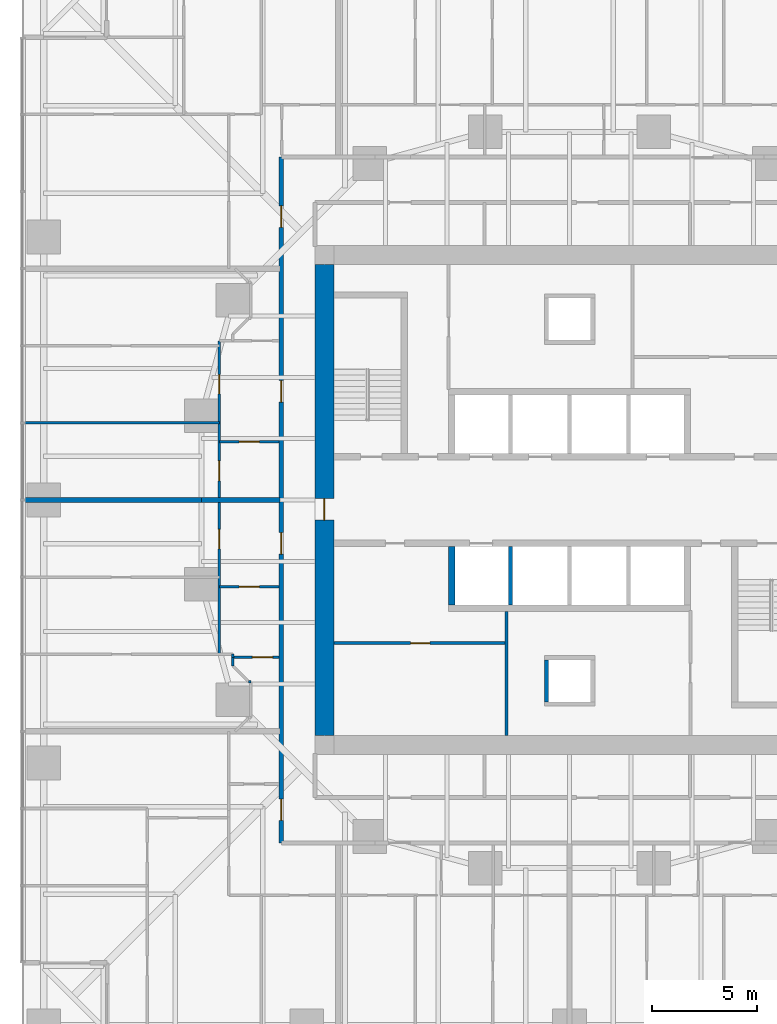
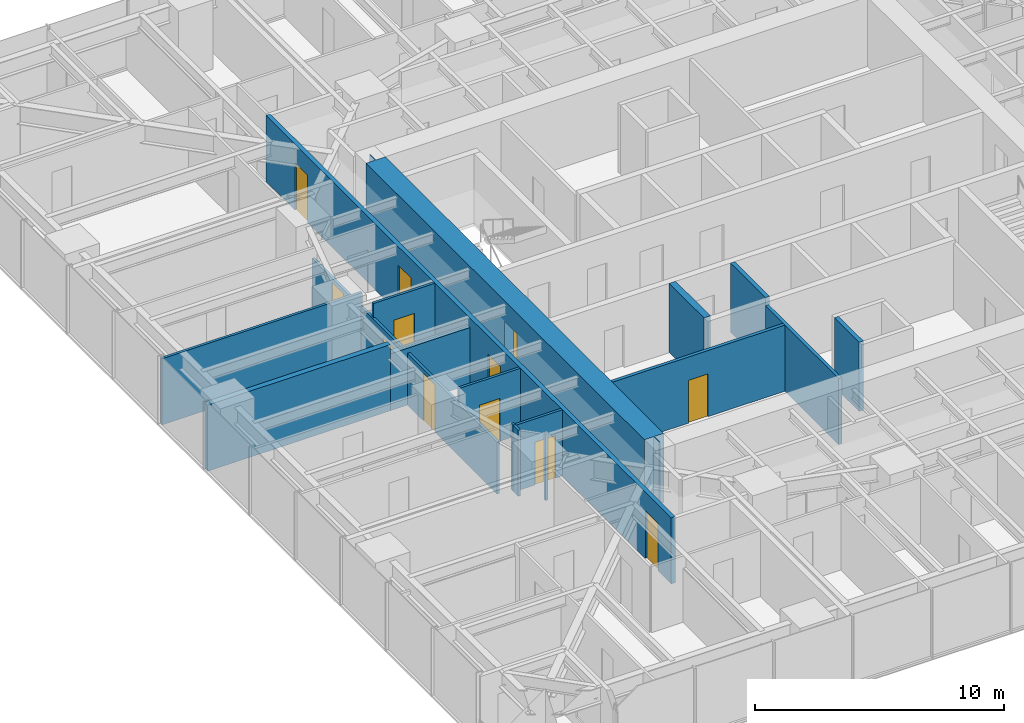
# One storey, part 10 of 18: 17 walls, 12 doors, 12 openings.
"""IFC4 building model written with IfcOpenShell, lengths in metres."""

from ifc_helpers import new_model, si_unit, direction, frame, frame_2d, origin, place, context, subcontext, project, spatial, polyline, rectangle, outline, extrude, material, layer, layer_set, type_object, element, fill, save


model = new_model("IFC4")

# Units and contexts
model_context = context("Model", 3, precision=1e-05, world=origin(), true_north=direction((0.0, 1.0)))
body_context = subcontext(model_context, "Body", "Model", "MODEL_VIEW")
ifc_project = project(units=[si_unit("LENGTHUNIT", "METRE"), si_unit("AREAUNIT", "SQUARE_METRE"), si_unit("VOLUMEUNIT", "CUBIC_METRE"), si_unit("PLANEANGLEUNIT", "RADIAN"), si_unit("MASSUNIT", "GRAM", prefix="KILO")], contexts=[model_context])

# Site, building, storey
site_placement = place(None, origin())
site = spatial("IfcSite", under=ifc_project, at=site_placement, CompositionType="ELEMENT")
building_placement = place(site_placement, origin())
building = spatial("IfcBuilding", under=site, at=building_placement, Name="Torsade Residences", CompositionType="ELEMENT")
storey_placement = place(building_placement, frame((0.0, 0.0, 25.199951171875)))
storey = spatial("IfcBuildingStorey", under=building, at=storey_placement, Name="L06", CompositionType="ELEMENT", Elevation=25.199951171875)

# Wall
ifc_material_1 = material(Name="Concrete 80 MPa", Category="concrete")
ifc_layer_1 = layer(ifc_material_1, 0.300048828125)
ifc_layer_set_1 = layer_set([ifc_layer_1], Name="Concrete 80 MPa")
wall_type_1 = type_object("IfcWallType", Name="CORE INTERNAL WALL 300", PredefinedType="SHEAR", material=ifc_layer_set_1)
wall_1_placement = place(storey_placement, frame((34.39990234375, 27.800048828125, 0.0), z_axis=(0.0, 0.0, 1.0), x_axis=(0.0, -1.0, 0.0)))
element("IfcWall", 1, at=wall_1_placement, inside=storey, type_object=wall_type_1, Name="Core wall DS4 L06", PredefinedType="SHEAR", context=body_context, shape_type="SweptSolid", body=[
    extrude(rectangle(XDim=2.800048828125, YDim=0.300048828125, at=frame_2d((1.39990234375, 0.0))), origin(), (0.0, 0.0, 1.0), 3.400146484375),
])

# Wall, opening, door
ifc_material_2 = material(Name="Concrete 80 MPa", Category="concrete")
ifc_layer_2 = layer(ifc_material_2, 0.89990234375)
ifc_layer_set_2 = layer_set([ifc_layer_2], Name="Concrete 80 MPa")
wall_type_2 = type_object("IfcWallType", Name="CORE WALL 900", PredefinedType="SHEAR", material=ifc_layer_set_2)
wall_2_placement = place(storey_placement, frame((28.35009765625, 41.199951171875, 0.0), z_axis=(0.0, 0.0, 1.0), x_axis=(0.0, -1.0, 0.0)))
wall_2 = element("IfcWall", 2, at=wall_2_placement, inside=storey, type_object=wall_type_2, Name="Core wall W L06", PredefinedType="SHEAR", context=body_context, shape_type="SweptSolid", body=[
    extrude(outline(polyline([(0.0, -0.449951171875), (22.39990234375, -0.449951171875), (22.39990234375, -0.02490234375), (22.849853515625, -0.02490234375), (22.849853515625, 0.02490234375), (22.39990234375, 0.02490234375), (22.39990234375, 0.449951171875), (0.0, 0.449951171875), (0.0, 0.02490234375), (-0.449951171875, 0.02490234375), (-0.449951171875, -0.02490234375), (0.0, -0.02490234375), (0.0, -0.449951171875)])), origin(), (0.0, 0.0, 1.0), 3.400146484375),
])
opening_1_placement = place(wall_2_placement, frame((11.139892578125, 0.0, 0.0)))
opening_1 = element("IfcOpeningElement", 3, at=opening_1_placement, cuts=wall_2, Name="Opening D04", PredefinedType="OPENING", context=body_context, shape_type="SweptSolid", body=[
    extrude(rectangle(XDim=1.02001953125, YDim=2.39990234375, at=frame_2d((0.510009765625, 1.199951171875))), frame((0.0, 0.4599609375, 0.0), z_axis=(0.0, -1.0, 0.0), x_axis=(1.0, 0.0, 0.0)), (0.0, 0.0, 1.0), 0.919921875),
])
ifc_material_3 = material(Name="Steel-framed fire door", Category="steel")
door_type_1 = type_object("IfcDoorType", Name="LOBBY SMOKE DOOR 1020x2400", OperationType="NOTDEFINED", PredefinedType="DOOR", material=ifc_material_3)
door_1_placement = place(opening_1_placement, origin())
door_1 = element("IfcDoor", 4, at=door_1_placement, inside=storey, type_object=door_type_1, Name="Lift lobby door W L06", OperationType="SINGLE_SWING_RIGHT", OverallHeight=2.39990234375, OverallWidth=1.02001953125, PredefinedType="DOOR", context=body_context, shape_type="SweptSolid", body=[
    extrude(rectangle(XDim=1.02001953125, YDim=2.39990234375, at=frame_2d((0.510009765625, 1.199951171875))), frame((0.0, 0.02490234375, 0.0), z_axis=(0.0, -1.0, 0.0), x_axis=(1.0, 0.0, 0.0)), (0.0, 0.0, 1.0), 0.050048828125),
])
fill(opening_1, door_1)

# Wall, openings, doors
ifc_material_4 = material(Name="Plasterboard on steel stud", Category="steel")
ifc_layer_3 = layer(ifc_material_4, 0.199951171875)
ifc_layer_set_3 = layer_set([ifc_layer_3], Name="Plasterboard on steel stud")
wall_type_3 = type_object("IfcWallType", Name="CORRIDOR WALL 200", PredefinedType="PARTITIONING", material=ifc_layer_set_3)
wall_3_placement = place(storey_placement, frame((26.300048828125, 46.300048828125, 0.0), z_axis=(0.0, 0.0, 1.0), x_axis=(0.0, -1.0, 0.0)))
wall_3 = element("IfcWall", 5, at=wall_3_placement, inside=storey, type_object=wall_type_3, Name="Corridor wall L06", PredefinedType="PARTITIONING", context=body_context, shape_type="SweptSolid", body=[
    extrude(rectangle(XDim=32.60009765625, YDim=0.199951171875, at=frame_2d((16.300048828125, 0.0))), origin(), (0.0, 0.0, 1.0), 3.25),
])
opening_2_placement = place(wall_3_placement, frame((2.31494140625, 0.0, 0.0)))
opening_2 = element("IfcOpeningElement", 6, at=opening_2_placement, cuts=wall_3, Name="Opening D01", PredefinedType="OPENING", context=body_context, shape_type="SweptSolid", body=[
    extrude(rectangle(XDim=1.02001953125, YDim=2.340087890625, at=frame_2d((0.510009765625, 1.169921875))), frame((0.0, 0.10986328125, 0.0), z_axis=(0.0, -1.0, 0.0), x_axis=(1.0, 0.0, 0.0)), (0.0, 0.0, 1.0), 0.219970703125),
])
opening_3_placement = place(wall_3_placement, frame((10.623779296875, 0.0, 0.0)))
opening_3 = element("IfcOpeningElement", 7, at=opening_3_placement, cuts=wall_3, Name="Opening D01", PredefinedType="OPENING", context=body_context, shape_type="SweptSolid", body=[
    extrude(rectangle(XDim=1.02001953125, YDim=2.340087890625, at=frame_2d((0.510009765625, 1.169921875))), frame((0.0, 0.10986328125, 0.0), z_axis=(0.0, -1.0, 0.0), x_axis=(1.0, 0.0, 0.0)), (0.0, 0.0, 1.0), 0.219970703125),
])
opening_4_placement = place(wall_3_placement, frame((17.84814453125, 0.0, 0.0)))
opening_4 = element("IfcOpeningElement", 8, at=opening_4_placement, cuts=wall_3, Name="Opening D01", PredefinedType="OPENING", context=body_context, shape_type="SweptSolid", body=[
    extrude(rectangle(XDim=1.02001953125, YDim=2.340087890625, at=frame_2d((0.510009765625, 1.169921875))), frame((0.0, 0.10986328125, 0.0), z_axis=(0.0, -1.0, 0.0), x_axis=(1.0, 0.0, 0.0)), (0.0, 0.0, 1.0), 0.219970703125),
])
opening_5_placement = place(wall_3_placement, frame((30.515625, 0.0, 0.0)))
opening_5 = element("IfcOpeningElement", 9, at=opening_5_placement, cuts=wall_3, Name="Opening D01", PredefinedType="OPENING", context=body_context, shape_type="SweptSolid", body=[
    extrude(rectangle(XDim=1.02001953125, YDim=2.340087890625, at=frame_2d((0.510009765625, 1.169921875))), frame((0.0, 0.10986328125, 0.0), z_axis=(0.0, -1.0, 0.0), x_axis=(1.0, 0.0, 0.0)), (0.0, 0.0, 1.0), 0.219970703125),
])
ifc_material_5 = material(Name="Solid-core timber fire door", Category="wood")
door_type_2 = type_object("IfcDoorType", Name="APARTMENT ENTRY DOOR 1020x2340", OperationType="NOTDEFINED", PredefinedType="DOOR", material=ifc_material_5)
door_2_placement = place(opening_2_placement, origin())
door_2 = element("IfcDoor", 10, at=door_2_placement, inside=storey, type_object=door_type_2, Name="Door Residential corridor to Kitchen and dining", OperationType="SINGLE_SWING_LEFT", OverallHeight=2.340087890625, OverallWidth=1.02001953125, PredefinedType="DOOR", context=body_context, shape_type="SweptSolid", body=[
    extrude(rectangle(XDim=1.02001953125, YDim=2.340087890625, at=frame_2d((0.510009765625, 1.169921875))), frame((0.0, 0.02490234375, 0.0), z_axis=(0.0, -1.0, 0.0), x_axis=(1.0, 0.0, 0.0)), (0.0, 0.0, 1.0), 0.050048828125),
])
fill(opening_2, door_2)
door_3_placement = place(opening_3_placement, origin())
door_3 = element("IfcDoor", 11, at=door_3_placement, inside=storey, type_object=door_type_2, Name="Door Residential corridor to Kitchen and dining", OperationType="SINGLE_SWING_LEFT", OverallHeight=2.340087890625, OverallWidth=1.02001953125, PredefinedType="DOOR", context=body_context, shape_type="SweptSolid", body=[
    extrude(rectangle(XDim=1.02001953125, YDim=2.340087890625, at=frame_2d((0.510009765625, 1.169921875))), frame((0.0, 0.02490234375, 0.0), z_axis=(0.0, -1.0, 0.0), x_axis=(1.0, 0.0, 0.0)), (0.0, 0.0, 1.0), 0.050048828125),
])
fill(opening_3, door_3)
door_4_placement = place(opening_4_placement, origin())
door_4 = element("IfcDoor", 12, at=door_4_placement, inside=storey, type_object=door_type_2, Name="Door Residential corridor to Kitchen and dining", OperationType="SINGLE_SWING_RIGHT", OverallHeight=2.340087890625, OverallWidth=1.02001953125, PredefinedType="DOOR", context=body_context, shape_type="SweptSolid", body=[
    extrude(rectangle(XDim=1.02001953125, YDim=2.340087890625, at=frame_2d((0.510009765625, 1.169921875))), frame((0.0, 0.02490234375, 0.0), z_axis=(0.0, -1.0, 0.0), x_axis=(1.0, 0.0, 0.0)), (0.0, 0.0, 1.0), 0.050048828125),
])
fill(opening_4, door_4)
door_5_placement = place(opening_5_placement, origin())
door_5 = element("IfcDoor", 13, at=door_5_placement, inside=storey, type_object=door_type_2, Name="Door Residential corridor to Kitchen and dining", OperationType="SINGLE_SWING_RIGHT", OverallHeight=2.340087890625, OverallWidth=1.02001953125, PredefinedType="DOOR", context=body_context, shape_type="SweptSolid", body=[
    extrude(rectangle(XDim=1.02001953125, YDim=2.340087890625, at=frame_2d((0.510009765625, 1.169921875))), frame((0.0, 0.02490234375, 0.0), z_axis=(0.0, -1.0, 0.0), x_axis=(1.0, 0.0, 0.0)), (0.0, 0.0, 1.0), 0.050048828125),
])
fill(opening_5, door_5)

# Wall
ifc_material_6 = material(Name="Reinforced blockwork", Category="masonry")
ifc_layer_4 = layer(ifc_material_6, 0.199951171875)
ifc_layer_set_4 = layer_set([ifc_layer_4], Name="Reinforced blockwork")
wall_type_4 = type_object("IfcWallType", Name="LIFT SHAFT DIVIDING WALL 200", PredefinedType="SOLIDWALL", material=ifc_layer_set_4)
wall_4_placement = place(storey_placement, frame((37.199951171875, 27.800048828125, 0.0), z_axis=(0.0, 0.0, 1.0), x_axis=(0.0, -1.0, 0.0)))
element("IfcWall", 14, at=wall_4_placement, inside=storey, type_object=wall_type_4, Name="Core wall DS3 L06", PredefinedType="SOLIDWALL", context=body_context, shape_type="SweptSolid", body=[
    extrude(rectangle(XDim=2.800048828125, YDim=0.199951171875, at=frame_2d((1.39990234375, 0.0))), origin(), (0.0, 0.0, 1.0), 3.400146484375),
])

# Wall, opening, door
ifc_material_7 = material(Name="Plasterboard on steel stud", Category="steel")
ifc_layer_5 = layer(ifc_material_7, 0.1201171875)
ifc_layer_set_5 = layer_set([ifc_layer_5], Name="Plasterboard on steel stud")
wall_type_5 = type_object("IfcWallType", Name="PARTITION 120", PredefinedType="PARTITIONING", material=ifc_layer_set_5)
wall_5_placement = place(storey_placement, frame((26.199951171875, 25.883544921875, 0.0), z_axis=(0.0, 0.0, 1.0), x_axis=(-1.0, 0.0, 0.0)))
wall_5 = element("IfcWall", 15, at=wall_5_placement, inside=storey, type_object=wall_type_5, Name="Partition L06", PredefinedType="PARTITIONING", context=body_context, shape_type="SweptSolid", body=[
    extrude(rectangle(XDim=2.849853515625, YDim=0.1201171875, at=frame_2d((1.4248046875, 0.0))), origin(), (0.0, 0.0, 1.0), 3.25),
])
opening_6_placement = place(wall_5_placement, frame((0.945068359375, 0.0, 0.0)))
opening_6 = element("IfcOpeningElement", 16, at=opening_6_placement, cuts=wall_5, Name="Opening D05", PredefinedType="OPENING", context=body_context, shape_type="SweptSolid", body=[
    extrude(rectangle(XDim=0.9599609375, YDim=2.10009765625, at=frame_2d((0.47998046875, 1.050048828125))), frame((0.0, 0.070068359375, 0.0), z_axis=(0.0, -1.0, 0.0), x_axis=(1.0, 0.0, 0.0)), (0.0, 0.0, 1.0), 0.14013671875),
])
ifc_material_8 = material(Name="Hollow-core timber door in a steel cavity frame", Category="steel")
door_type_3 = type_object("IfcDoorType", Name="BATHROOM CAVITY SLIDING DOOR 960", OperationType="SLIDING_TO_LEFT", PredefinedType="DOOR", material=ifc_material_8)
door_6_placement = place(opening_6_placement, origin())
door_6 = element("IfcDoor", 17, at=door_6_placement, inside=storey, type_object=door_type_3, Name="Door Kitchen and dining to Ensuite", OperationType="SLIDING_TO_LEFT", OverallHeight=2.10009765625, OverallWidth=0.9599609375, PredefinedType="DOOR", context=body_context, shape_type="SweptSolid", body=[
    extrude(rectangle(XDim=0.9599609375, YDim=2.10009765625, at=frame_2d((0.47998046875, 1.050048828125))), frame((0.0, 0.02490234375, 0.0), z_axis=(0.0, -1.0, 0.0), x_axis=(1.0, 0.0, 0.0)), (0.0, 0.0, 1.0), 0.050048828125),
])
fill(opening_6, door_6)

# Wall, openings, doors
wall_6_placement = place(storey_placement, frame((23.35009765625, 22.666748046875, 0.0), z_axis=(0.0, 0.0, 1.0), x_axis=(0.0, 1.0, 0.0)))
wall_6 = element("IfcWall", 18, at=wall_6_placement, inside=storey, type_object=wall_type_5, Name="Partition L06", PredefinedType="PARTITIONING", context=body_context, shape_type="SweptSolid", body=[
    extrude(rectangle(XDim=14.89794921875, YDim=0.1201171875, at=frame_2d((7.448974609375, 0.0))), origin(), (0.0, 0.0, 1.0), 2.550048828125),
])
opening_7_placement = place(wall_6_placement, frame((12.373291015625, 0.0, 0.0)))
opening_7 = element("IfcOpeningElement", 19, at=opening_7_placement, cuts=wall_6, Name="Opening D02", PredefinedType="OPENING", context=body_context, shape_type="SweptSolid", body=[
    extrude(rectangle(XDim=0.919921875, YDim=2.340087890625, at=frame_2d((0.4599609375, 1.169921875))), frame((0.0, 0.070068359375, 0.0), z_axis=(0.0, -1.0, 0.0), x_axis=(1.0, 0.0, 0.0)), (0.0, 0.0, 1.0), 0.14013671875),
])
opening_8_placement = place(wall_6_placement, frame((5.014892578125, 0.0, 0.0)))
opening_8 = element("IfcOpeningElement", 20, at=opening_8_placement, cuts=wall_6, Name="Opening D02", PredefinedType="OPENING", context=body_context, shape_type="SweptSolid", body=[
    extrude(rectangle(XDim=0.919921875, YDim=2.340087890625, at=frame_2d((0.4599609375, 1.169921875))), frame((0.0, 0.070068359375, 0.0), z_axis=(0.0, -1.0, 0.0), x_axis=(1.0, 0.0, 0.0)), (0.0, 0.0, 1.0), 0.14013671875),
])
opening_9_placement = place(wall_6_placement, frame((8.237060546875, 0.0, 0.0)))
opening_9 = element("IfcOpeningElement", 21, at=opening_9_placement, cuts=wall_6, Name="Opening D05", PredefinedType="OPENING", context=body_context, shape_type="SweptSolid", body=[
    extrude(rectangle(XDim=0.9599609375, YDim=2.10009765625, at=frame_2d((0.47998046875, 1.050048828125))), frame((0.0, 0.070068359375, 0.0), z_axis=(0.0, -1.0, 0.0), x_axis=(1.0, 0.0, 0.0)), (0.0, 0.0, 1.0), 0.14013671875),
])
door_7_placement = place(opening_9_placement, origin())
door_7 = element("IfcDoor", 22, at=door_7_placement, inside=storey, type_object=door_type_3, Name="Door Ensuite to Bedroom 1", OperationType="SLIDING_TO_LEFT", OverallHeight=2.10009765625, OverallWidth=0.9599609375, PredefinedType="DOOR", context=body_context, shape_type="SweptSolid", body=[
    extrude(rectangle(XDim=0.9599609375, YDim=2.10009765625, at=frame_2d((0.47998046875, 1.050048828125))), frame((0.0, 0.02490234375, 0.0), z_axis=(0.0, -1.0, 0.0), x_axis=(1.0, 0.0, 0.0)), (0.0, 0.0, 1.0), 0.050048828125),
])
fill(opening_9, door_7)
ifc_material_9 = material(Name="Hollow-core timber door", Category="wood")
door_type_4 = type_object("IfcDoorType", Name="INTERNAL DOOR 920x2340", OperationType="NOTDEFINED", PredefinedType="DOOR", material=ifc_material_9)
door_8_placement = place(opening_7_placement, origin())
door_8 = element("IfcDoor", 23, at=door_8_placement, inside=storey, type_object=door_type_4, Name="Door Kitchen and dining to Bedroom 2", OperationType="SINGLE_SWING_LEFT", OverallHeight=2.340087890625, OverallWidth=0.919921875, PredefinedType="DOOR", context=body_context, shape_type="SweptSolid", body=[
    extrude(rectangle(XDim=0.919921875, YDim=2.340087890625, at=frame_2d((0.4599609375, 1.169921875))), frame((0.0, 0.02490234375, 0.0), z_axis=(0.0, -1.0, 0.0), x_axis=(1.0, 0.0, 0.0)), (0.0, 0.0, 1.0), 0.050048828125),
])
fill(opening_7, door_8)
door_9_placement = place(opening_8_placement, origin())
door_9 = element("IfcDoor", 24, at=door_9_placement, inside=storey, type_object=door_type_4, Name="Door Kitchen and dining to Living room", OperationType="SINGLE_SWING_LEFT", OverallHeight=2.340087890625, OverallWidth=0.919921875, PredefinedType="DOOR", context=body_context, shape_type="SweptSolid", body=[
    extrude(rectangle(XDim=0.919921875, YDim=2.340087890625, at=frame_2d((0.4599609375, 1.169921875))), frame((0.0, 0.02490234375, 0.0), z_axis=(0.0, -1.0, 0.0), x_axis=(1.0, 0.0, 0.0)), (0.0, 0.0, 1.0), 0.050048828125),
])
fill(opening_8, door_9)

# Wall, opening, door
wall_7_placement = place(storey_placement, frame((24.0, 22.515380859375, 0.0), z_axis=(0.0, 0.0, 1.0), x_axis=(1.0, 0.0, 0.0)))
wall_7 = element("IfcWall", 25, at=wall_7_placement, inside=storey, type_object=wall_type_5, Name="Partition L06", PredefinedType="PARTITIONING", context=body_context, shape_type="SweptSolid", body=[
    extrude(rectangle(XDim=2.199951171875, YDim=0.1201171875, at=frame_2d((1.10009765625, 0.0))), origin(), (0.0, 0.0, 1.0), 3.25),
])
opening_10_placement = place(wall_7_placement, frame((0.919921875, 0.0, 0.0)))
opening_10 = element("IfcOpeningElement", 26, at=opening_10_placement, cuts=wall_7, Name="Opening D05", PredefinedType="OPENING", context=body_context, shape_type="SweptSolid", body=[
    extrude(rectangle(XDim=0.9599609375, YDim=2.10009765625, at=frame_2d((0.47998046875, 1.050048828125))), frame((0.0, 0.070068359375, 0.0), z_axis=(0.0, -1.0, 0.0), x_axis=(1.0, 0.0, 0.0)), (0.0, 0.0, 1.0), 0.14013671875),
])
door_10_placement = place(opening_10_placement, origin())
door_10 = element("IfcDoor", 27, at=door_10_placement, inside=storey, type_object=door_type_3, Name="Door Ensuite to Bathroom", OperationType="SLIDING_TO_LEFT", OverallHeight=2.10009765625, OverallWidth=0.9599609375, PredefinedType="DOOR", context=body_context, shape_type="SweptSolid", body=[
    extrude(rectangle(XDim=0.9599609375, YDim=2.10009765625, at=frame_2d((0.47998046875, 1.050048828125))), frame((0.0, 0.02490234375, 0.0), z_axis=(0.0, -1.0, 0.0), x_axis=(1.0, 0.0, 0.0)), (0.0, 0.0, 1.0), 0.050048828125),
])
fill(opening_10, door_10)

# Wall
wall_8_placement = place(storey_placement, frame((24.0, 22.10009765625, 0.0), z_axis=(0.0, 0.0, 1.0), x_axis=(0.0, 1.0, 0.0)))
element("IfcWall", 28, at=wall_8_placement, inside=storey, type_object=wall_type_5, Name="Partition L06", PredefinedType="PARTITIONING", context=body_context, shape_type="SweptSolid", body=[
    extrude(rectangle(XDim=0.415283203125, YDim=0.1201171875, at=frame_2d((0.20751953125, 0.0))), origin(), (0.0, 0.0, 1.0), 3.25),
])

# Wall, opening, door
wall_9_placement = place(storey_placement, frame((26.199951171875, 32.767578125, 0.0), z_axis=(0.0, 0.0, 1.0), x_axis=(-1.0, 0.0, 0.0)))
wall_9 = element("IfcWall", 29, at=wall_9_placement, inside=storey, type_object=wall_type_5, Name="Partition L06", PredefinedType="PARTITIONING", context=body_context, shape_type="SweptSolid", body=[
    extrude(rectangle(XDim=2.849853515625, YDim=0.1201171875, at=frame_2d((1.4248046875, 0.0))), origin(), (0.0, 0.0, 1.0), 3.25),
])
opening_11_placement = place(wall_9_placement, frame((0.945068359375, 0.0, 0.0)))
opening_11 = element("IfcOpeningElement", 30, at=opening_11_placement, cuts=wall_9, Name="Opening D05", PredefinedType="OPENING", context=body_context, shape_type="SweptSolid", body=[
    extrude(rectangle(XDim=0.9599609375, YDim=2.10009765625, at=frame_2d((0.47998046875, 1.050048828125))), frame((0.0, 0.070068359375, 0.0), z_axis=(0.0, -1.0, 0.0), x_axis=(1.0, 0.0, 0.0)), (0.0, 0.0, 1.0), 0.14013671875),
])
door_11_placement = place(opening_11_placement, origin())
door_11 = element("IfcDoor", 31, at=door_11_placement, inside=storey, type_object=door_type_3, Name="Door Kitchen and dining to Ensuite", OperationType="SLIDING_TO_LEFT", OverallHeight=2.10009765625, OverallWidth=0.9599609375, PredefinedType="DOOR", context=body_context, shape_type="SweptSolid", body=[
    extrude(rectangle(XDim=0.9599609375, YDim=2.10009765625, at=frame_2d((0.47998046875, 1.050048828125))), frame((0.0, 0.02490234375, 0.0), z_axis=(0.0, -1.0, 0.0), x_axis=(1.0, 0.0, 0.0)), (0.0, 0.0, 1.0), 0.050048828125),
])
fill(opening_11, door_11)

# Walls
wall_10_placement = place(storey_placement, frame((14.0400390625, 33.666748046875, 0.0), z_axis=(0.0, 0.0, 1.0), x_axis=(1.0, 0.0, 0.0)))
element("IfcWall", 32, at=wall_10_placement, inside=storey, type_object=wall_type_5, Name="Partition L06", PredefinedType="PARTITIONING", context=body_context, shape_type="SweptSolid", body=[
    extrude(rectangle(XDim=9.31005859375, YDim=0.1201171875, at=frame_2d((4.655029296875, 0.0))), origin(), (0.0, 0.0, 1.0), 3.25),
])
wall_11_placement = place(storey_placement, frame((24.85009765625, 21.35009765625, 0.0), z_axis=(0.0, 0.0, 1.0), x_axis=(-1.0, 0.0, 0.0)))
element("IfcWall", 33, at=wall_11_placement, inside=storey, type_object=wall_type_5, Name="Partition L06", PredefinedType="PARTITIONING", context=body_context, shape_type="SweptSolid", body=[
    extrude(rectangle(XDim=0.10009765625, YDim=0.1201171875, at=frame_2d((0.050048828125, 0.0))), origin(), (0.0, 0.0, 1.0), 3.25),
])
wall_12_placement = place(storey_placement, frame((24.0, 22.666748046875, 0.0), z_axis=(0.0, 0.0, 1.0), x_axis=(0.0, -1.0, 0.0)))
element("IfcWall", 34, at=wall_12_placement, inside=storey, type_object=wall_type_5, Name="Partition L06", PredefinedType="PARTITIONING", context=body_context, shape_type="SweptSolid", body=[
    extrude(rectangle(XDim=0.1513671875, YDim=0.1201171875, at=frame_2d((0.07568359375, 0.0))), origin(), (0.0, 0.0, 1.0), 3.25),
])
ifc_material_10 = material(Name="Masonry-lined stud party wall", Category="masonry")
ifc_layer_6 = layer(ifc_material_10, 0.25)
ifc_layer_set_6 = layer_set([ifc_layer_6], Name="Masonry-lined stud party wall")
wall_type_6 = type_object("IfcWallType", Name="PARTY WALL 250", PredefinedType="PARTITIONING", material=ifc_layer_set_6)
wall_13_placement = place(storey_placement, frame((14.0, 30.0, 0.0), z_axis=(0.0, 0.0, 1.0), x_axis=(1.0, 0.0, 0.0)))
element("IfcWall", 35, at=wall_13_placement, inside=storey, type_object=wall_type_6, Name="Party wall L06", PredefinedType="PARTITIONING", context=body_context, shape_type="SweptSolid", body=[
    extrude(rectangle(XDim=8.5, YDim=0.25, at=frame_2d((4.25, 0.0))), origin(), (0.0, 0.0, 1.0), 3.25),
])
wall_14_placement = place(storey_placement, frame((22.5, 30.0, 0.0), z_axis=(0.0, 0.0, 1.0), x_axis=(1.0, 0.0, 0.0)))
element("IfcWall", 36, at=wall_14_placement, inside=storey, type_object=wall_type_6, Name="Party wall L06", PredefinedType="PARTITIONING", context=body_context, shape_type="SweptSolid", body=[
    extrude(rectangle(XDim=3.739990234375, YDim=0.25, at=frame_2d((1.8701171875, 0.0))), origin(), (0.0, 0.0, 1.0), 2.796142578125),
])
ifc_material_11 = material(Name="Reinforced blockwork", Category="masonry")
ifc_layer_7 = layer(ifc_material_11, 0.199951171875)
ifc_layer_set_7 = layer_set([ifc_layer_7], Name="Reinforced blockwork")
wall_type_7 = type_object("IfcWallType", Name="RISER SHAFT WALL 200", PredefinedType="SOLIDWALL", material=ifc_layer_set_7)
wall_15_placement = place(storey_placement, frame((38.89990234375, 22.39990234375, 0.0), z_axis=(0.0, 0.0, 1.0), x_axis=(0.0, -1.0, 0.0)))
element("IfcWall", 37, at=wall_15_placement, inside=storey, type_object=wall_type_7, Name="Core wall RS2a L06", PredefinedType="SOLIDWALL", context=body_context, shape_type="SweptSolid", body=[
    extrude(rectangle(XDim=2.0, YDim=0.199951171875, at=frame_2d((1.0, 0.0))), origin(), (0.0, 0.0, 1.0), 3.400146484375),
])
ifc_material_12 = material(Name="Reinforced blockwork", Category="masonry")
ifc_layer_8 = layer(ifc_material_12, 0.14990234375)
ifc_layer_set_8 = layer_set([ifc_layer_8], Name="Reinforced blockwork")
wall_type_8 = type_object("IfcWallType", Name="SERVICE ROOM WALL 150", PredefinedType="SOLIDWALL", material=ifc_layer_set_8)
wall_16_placement = place(storey_placement, frame((37.0, 18.800048828125, 0.0), z_axis=(0.0, 0.0, 1.0), x_axis=(0.0, 1.0, 0.0)))
element("IfcWall", 38, at=wall_16_placement, inside=storey, type_object=wall_type_8, Name="Service room wall L06", PredefinedType="SOLIDWALL", context=body_context, shape_type="SweptSolid", body=[
    extrude(rectangle(XDim=5.89990234375, YDim=0.14990234375, at=frame_2d((2.949951171875, 0.0))), origin(), (0.0, 0.0, 1.0), 3.25),
])

# Wall, opening, door
wall_17_placement = place(storey_placement, frame((37.0, 23.199951171875, 0.0), z_axis=(0.0, 0.0, 1.0), x_axis=(-1.0, 0.0, 0.0)))
wall_17 = element("IfcWall", 39, at=wall_17_placement, inside=storey, type_object=wall_type_8, Name="Service room wall L06", PredefinedType="SOLIDWALL", context=body_context, shape_type="SweptSolid", body=[
    extrude(rectangle(XDim=8.199951171875, YDim=0.14990234375, at=frame_2d((4.10009765625, 0.0))), origin(), (0.0, 0.0, 1.0), 3.25),
])
opening_12_placement = place(wall_17_placement, frame((3.639892578125, 0.0, 0.0)))
opening_12 = element("IfcOpeningElement", 40, at=opening_12_placement, cuts=wall_17, Name="Opening D06", PredefinedType="OPENING", context=body_context, shape_type="SweptSolid", body=[
    extrude(rectangle(XDim=0.919921875, YDim=2.10009765625, at=frame_2d((0.4599609375, 1.050048828125))), frame((0.0, 0.0849609375, 0.0), z_axis=(0.0, -1.0, 0.0), x_axis=(1.0, 0.0, 0.0)), (0.0, 0.0, 1.0), 0.169921875),
])
ifc_material_13 = material(Name="Steel-framed fire door", Category="steel")
door_type_5 = type_object("IfcDoorType", Name="FIRE DOOR 920", OperationType="NOTDEFINED", PredefinedType="DOOR", material=ifc_material_13)
door_12_placement = place(opening_12_placement, origin())
door_12 = element("IfcDoor", 41, at=door_12_placement, inside=storey, type_object=door_type_5, Name="Door Cleaner store to Hose reel and hydrant store", OperationType="SINGLE_SWING_LEFT", OverallHeight=2.10009765625, OverallWidth=0.919921875, PredefinedType="DOOR", context=body_context, shape_type="SweptSolid", body=[
    extrude(rectangle(XDim=0.919921875, YDim=2.10009765625, at=frame_2d((0.4599609375, 1.050048828125))), frame((0.0, 0.02490234375, 0.0), z_axis=(0.0, -1.0, 0.0), x_axis=(1.0, 0.0, 0.0)), (0.0, 0.0, 1.0), 0.050048828125),
])
fill(opening_12, door_12)

save(model, "model.ifc")
